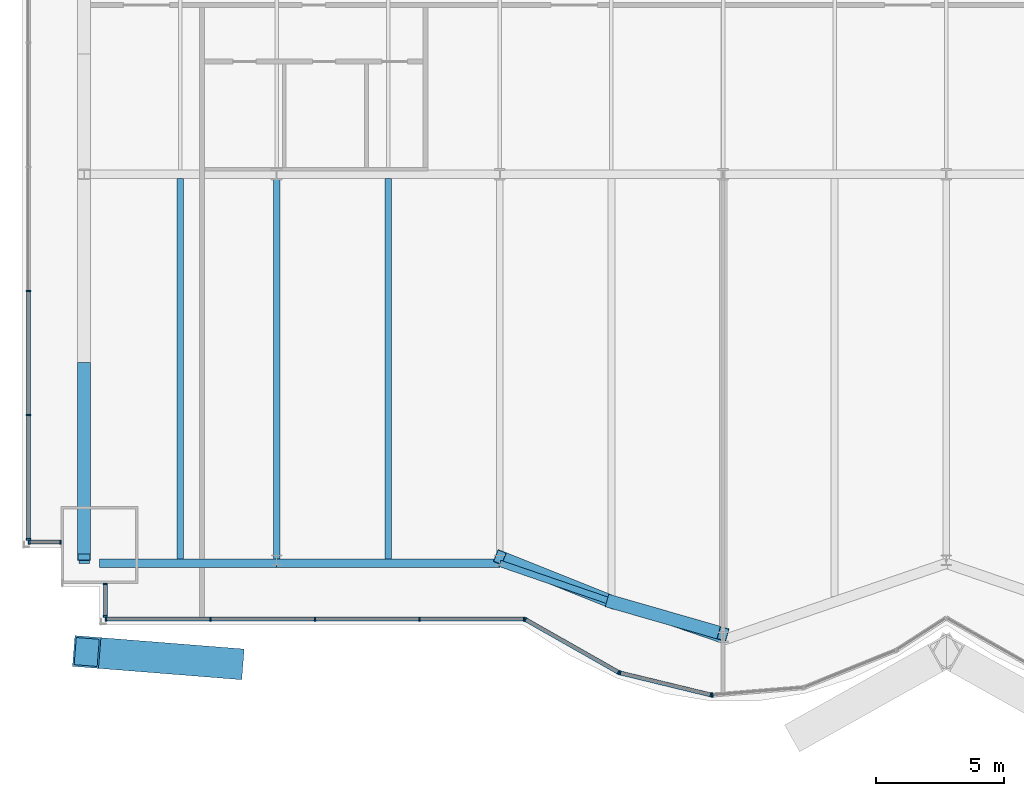
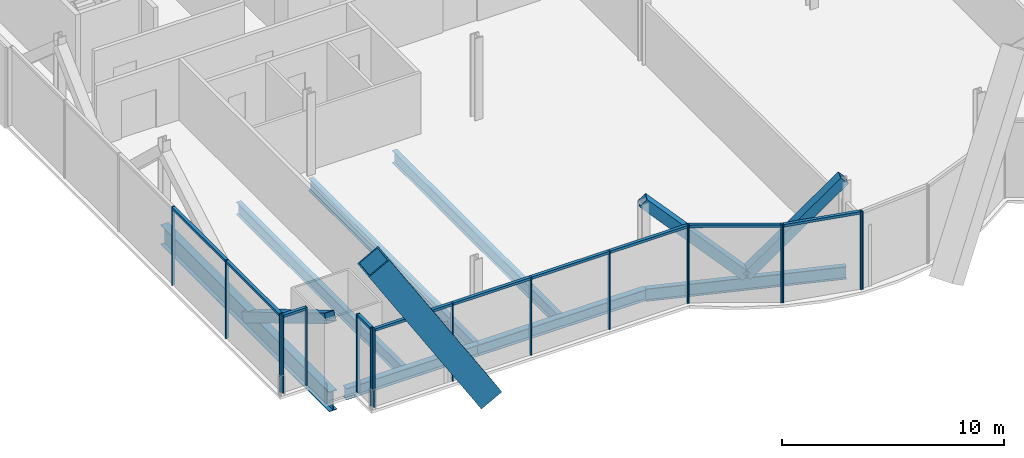
# One storey, part 4 of 21: 31 members, 7 beams, 5 elements without a shape of their own.
"""IFC4 building model written with IfcOpenShell, lengths in metres."""

from ifc_helpers import new_model, si_unit, direction, frame, origin, origin_2d, place, context, subcontext, project, spatial, rectangle, hollow_rectangle, i_section, extrude, material, material_profile, profile_set, type_object, element, aggregate, save


model = new_model("IFC4")

# Units and contexts
model_context = context("Model", 3, precision=1e-05, world=origin(), true_north=direction((0.0, 1.0)))
body_context = subcontext(model_context, "Body", "Model", "MODEL_VIEW")
ifc_project = project(units=[si_unit("LENGTHUNIT", "METRE"), si_unit("AREAUNIT", "SQUARE_METRE"), si_unit("VOLUMEUNIT", "CUBIC_METRE"), si_unit("PLANEANGLEUNIT", "RADIAN"), si_unit("MASSUNIT", "GRAM", prefix="KILO")], contexts=[model_context])

# Site, building, storey
site_placement = place(None, origin())
site = spatial("IfcSite", under=ifc_project, at=site_placement, CompositionType="ELEMENT")
building_placement = place(site_placement, origin())
building = spatial("IfcBuilding", under=site, at=building_placement, Name="Bicima Exchange Tower", CompositionType="ELEMENT")
storey_placement = place(building_placement, frame((0.0, 0.0, 80.0)))
storey = spatial("IfcBuildingStorey", under=building, at=storey_placement, Name="L16", CompositionType="ELEMENT", Elevation=80.0)

# Curtain wall, members
ifc_material_1 = material(Name="Anodised bronze aluminium", Category="aluminium")
curtain_wall_type_1 = type_object("IfcCurtainWallType", Name="End face glass wall", PredefinedType="NOTDEFINED", material=ifc_material_1)
curtain_wall_1_placement = place(storey_placement, origin())
curtain_wall_1 = element("IfcCurtainWall", 1, at=curtain_wall_1_placement, inside=storey, type_object=curtain_wall_type_1, Name="End face glass wall L16 run 2", PredefinedType="NOTDEFINED")
ifc_material_profile_1 = material_profile(ifc_material_1, rectangle(XDim=0.159912109375, YDim=0.06005859375, at=origin_2d()))
ifc_profile_set_1 = profile_set([ifc_material_profile_1], Name="Anodised bronze aluminium")
member_type_1 = type_object("IfcMemberType", Name="End face glass wall mullion 60 x 160", PredefinedType="MULLION", material=ifc_profile_set_1)
member_1_placement = place(storey_placement, frame((-35.77001953125, -26.5439453125, 0.0), z_axis=(0.0, 0.0, 1.0), x_axis=(1.0, 0.0, 0.0)))
member_1 = element("IfcMember", 2, at=member_1_placement, type_object=member_type_1, Name="End face glass wall mullion 4", PredefinedType="MULLION", context=body_context, shape_type="SweptSolid", body=[
    extrude(rectangle(XDim=0.159912109375, YDim=0.06005859375, at=origin_2d()), origin(), (0.0, 0.0, 1.0), 4.300048828125),
])
member_2_placement = place(storey_placement, frame((-35.77001953125, -31.382080078125, 0.0), z_axis=(0.0, 0.0, 1.0), x_axis=(1.0, 0.0, 0.0)))
member_2 = element("IfcMember", 3, at=member_2_placement, type_object=member_type_1, Name="End face glass wall mullion 5", PredefinedType="MULLION", context=body_context, shape_type="SweptSolid", body=[
    extrude(rectangle(XDim=0.159912109375, YDim=0.06005859375, at=origin_2d()), origin(), (0.0, 0.0, 1.0), 4.300048828125),
])
member_3_placement = place(storey_placement, frame((-35.77001953125, -36.219970703125, 0.0), z_axis=(0.0, 0.0, 1.0), x_axis=(1.0, 0.0, 0.0)))
member_3 = element("IfcMember", 4, at=member_3_placement, type_object=member_type_1, Name="End face glass wall mullion 6", PredefinedType="MULLION", context=body_context, shape_type="SweptSolid", body=[
    extrude(rectangle(XDim=0.159912109375, YDim=0.06005859375, at=origin_2d()), origin(), (0.0, 0.0, 1.0), 4.300048828125),
])
ifc_material_profile_2 = material_profile(ifc_material_1, rectangle(XDim=0.159912109375, YDim=0.139892578125, at=origin_2d()))
ifc_profile_set_2 = profile_set([ifc_material_profile_2], Name="Anodised bronze aluminium")
member_type_2 = type_object("IfcMemberType", Name="End face glass wall transom 140 x 160", PredefinedType="USERDEFINED", material=ifc_profile_set_2)
member_4_placement = place(storey_placement, frame((-35.77001953125, -26.573974609375, 4.22998046875), z_axis=(0.0, -1.0, 0.0), x_axis=(1.0, 0.0, 0.0)))
member_4 = element("IfcMember", 5, at=member_4_placement, type_object=member_type_2, Name="End face glass wall transom 4.1", ObjectType="TRANSOM", PredefinedType="USERDEFINED", context=body_context, shape_type="SweptSolid", body=[
    extrude(rectangle(XDim=0.159912109375, YDim=0.139892578125, at=origin_2d()), origin(), (0.0, 0.0, 1.0), 4.778076171875),
])
member_5_placement = place(storey_placement, frame((-35.77001953125, -31.412109375, 4.22998046875), z_axis=(0.0, -1.0, 0.0), x_axis=(1.0, 0.0, 0.0)))
member_5 = element("IfcMember", 6, at=member_5_placement, type_object=member_type_2, Name="End face glass wall transom 5.1", ObjectType="TRANSOM", PredefinedType="USERDEFINED", context=body_context, shape_type="SweptSolid", body=[
    extrude(rectangle(XDim=0.159912109375, YDim=0.139892578125, at=origin_2d()), origin(), (0.0, 0.0, 1.0), 4.77783203125),
])
aggregate(curtain_wall_1, [member_1, member_2, member_3, member_4, member_5])

# Beam
ifc_material_2 = material(Name="Steel ASTM A992 Gr 50", Category="steel")
ifc_material_profile_3 = material_profile(ifc_material_2, i_section(OverallWidth=0.4013671875, OverallDepth=1.089599609375, WebThickness=0.01806640625, FlangeThickness=0.031005859375, at=origin_2d()))
ifc_profile_set_3 = profile_set([ifc_material_profile_3], Name="Steel ASTM A992 Gr 50")
beam_type_1 = type_object("IfcBeamType", Name="End girder W44x230", PredefinedType="BEAM", material=ifc_profile_set_3)
beam_1_placement = place(storey_placement, frame((-33.60009765625, -22.0, -0.69482421875), z_axis=(0.0, -1.0, 0.0), x_axis=(1.0, 0.0, 0.0)))
element("IfcBeam", 7, at=beam_1_placement, inside=storey, type_object=beam_type_1, Name="End girder", PredefinedType="BEAM", context=body_context, shape_type="SweptSolid", body=[
    extrude(i_section(OverallWidth=0.4013671875, OverallDepth=1.089599609375, WebThickness=0.01806640625, FlangeThickness=0.031005859375, at=origin_2d()), origin(), (0.0, 0.0, 1.0), 15.159912109375),
])

# Member
ifc_material_3 = material(Name="Steel ASTM A572 Gr 50", Category="steel")
ifc_material_profile_4 = material_profile(ifc_material_3, hollow_rectangle(XDim=1.199951171875, YDim=1.199951171875, WallThickness=0.070068359375, at=origin_2d()))
ifc_profile_set_4 = profile_set([ifc_material_profile_4], Name="Steel ASTM A572 Gr 50")
member_type_3 = type_object("IfcMemberType", Name="Exo mega brace BOX 1200x1200x70", PredefinedType="BRACE", material=ifc_profile_set_4)
member_6_placement = place(storey_placement, frame((-27.916748046875, -41.055908203125, 0.074951171875), z_axis=(-0.52987784302, 0.042053797065, 0.847030666286), x_axis=(-0.079116300998, -0.996865392576, 0.0)))
element("IfcMember", 8, at=member_6_placement, inside=storey, type_object=member_type_3, Name="Exo mega brace front", PredefinedType="BRACE", context=body_context, shape_type="SweptSolid", body=[
    extrude(hollow_rectangle(XDim=1.199951171875, YDim=1.199951171875, WallThickness=0.070068359375, at=origin_2d()), origin(), (0.0, 0.0, 1.0), 10.536865234375),
])

# Beams
ifc_material_profile_5 = material_profile(ifc_material_2, i_section(OverallWidth=0.25390625, OverallDepth=0.67822265625, WebThickness=0.01171875, FlangeThickness=0.016357421875, at=origin_2d()))
ifc_profile_set_5 = profile_set([ifc_material_profile_5], Name="Steel ASTM A992 Gr 50")
beam_type_2 = type_object("IfcBeamType", Name="Floor beam W27x84", PredefinedType="JOIST", material=ifc_profile_set_5)
for number, where, z_axis, x_axis, name in (
    (9, (-29.85009765625, -22.16259765625, -0.489013671875), (0.0, -1.0, 0.0), (1.0, 0.0, 0.0), "Floor beam"),
    (10, (-26.10009765625, -22.16259765625, -0.489013671875), (0.0, -1.0, 0.0), (1.0, 0.0, 0.0), "Floor beam"),
    (11, (-21.75, -22.16259765625, -0.489013671875), (0.0, -1.0, 0.0), (1.0, 0.0, 0.0), "Floor beam"),
):
    element("IfcBeam", number, at=place(storey_placement, frame(where, z_axis=z_axis, x_axis=x_axis)), inside=storey, type_object=beam_type_2, Name=name, PredefinedType="JOIST", context=body_context, shape_type="SweptSolid", body=[
        extrude(i_section(OverallWidth=0.25390625, OverallDepth=0.67822265625, WebThickness=0.01171875, FlangeThickness=0.016357421875, at=origin_2d()), origin(), (0.0, 0.0, 1.0), 14.834716796875),
    ])
ifc_material_profile_6 = material_profile(ifc_material_2, i_section(OverallWidth=0.3251953125, OverallDepth=0.612060546875, WebThickness=0.0126953125, FlangeThickness=0.01904296875, at=origin_2d()))
ifc_profile_set_6 = profile_set([ifc_material_profile_6], Name="Steel ASTM A992 Gr 50")
beam_type_3 = type_object("IfcBeamType", Name="Front girder W24x104", PredefinedType="BEAM", material=ifc_profile_set_6)
beam_2_placement = place(storey_placement, frame((-33.0, -37.159912109375, -0.4560546875), z_axis=(1.0, 0.0, 0.0), x_axis=(0.0, 1.0, 0.0)))
element("IfcBeam", 12, at=beam_2_placement, inside=storey, type_object=beam_type_3, Name="Front girder", PredefinedType="BEAM", context=body_context, shape_type="SweptSolid", body=[
    extrude(i_section(OverallWidth=0.3251953125, OverallDepth=0.612060546875, WebThickness=0.0126953125, FlangeThickness=0.01904296875, at=origin_2d()), origin(), (0.0, 0.0, 1.0), 6.89990234375),
])
beam_3_placement = place(storey_placement, frame((-26.10009765625, -37.159912109375, -0.4560546875), z_axis=(1.0, 0.0, 0.0), x_axis=(0.0, 1.0, 0.0)))
element("IfcBeam", 13, at=beam_3_placement, inside=storey, type_object=beam_type_3, Name="Front girder", PredefinedType="BEAM", context=body_context, shape_type="SweptSolid", body=[
    extrude(i_section(OverallWidth=0.3251953125, OverallDepth=0.612060546875, WebThickness=0.0126953125, FlangeThickness=0.01904296875, at=origin_2d()), origin(), (0.0, 0.0, 1.0), 8.7001953125),
])
ifc_material_profile_7 = material_profile(ifc_material_2, i_section(OverallWidth=0.256591796875, OverallDepth=0.693359375, WebThickness=0.014404296875, FlangeThickness=0.023681640625, at=origin_2d()))
ifc_profile_set_7 = profile_set([ifc_material_profile_7], Name="Steel ASTM A992 Gr 50")
beam_type_4 = type_object("IfcBeamType", Name="Front girder W27x114", PredefinedType="BEAM", material=ifc_profile_set_7)
beam_4_placement = place(storey_placement, frame((-17.39990234375, -37.159912109375, -0.49658203125), z_axis=(0.945666456746, -0.325138359143, 0.0), x_axis=(0.325138359143, 0.945666456746, 0.0)))
element("IfcBeam", 14, at=beam_4_placement, inside=storey, type_object=beam_type_4, Name="Front girder", PredefinedType="BEAM", context=body_context, shape_type="SweptSolid", body=[
    extrude(i_section(OverallWidth=0.256591796875, OverallDepth=0.693359375, WebThickness=0.014404296875, FlangeThickness=0.023681640625, at=origin_2d()), origin(), (0.0, 0.0, 1.0), 9.19970703125),
])

# Curtain wall, members
curtain_wall_type_2 = type_object("IfcCurtainWallType", Name="Front glass wall", PredefinedType="NOTDEFINED", material=ifc_material_1)
curtain_wall_2_placement = place(storey_placement, origin())
curtain_wall_2 = element("IfcCurtainWall", 15, at=curtain_wall_2_placement, inside=storey, type_object=curtain_wall_type_2, Name="Front glass wall L16 run 3", PredefinedType="NOTDEFINED")
member_type_4 = type_object("IfcMemberType", Name="Front glass wall mullion 60 x 160", PredefinedType="MULLION", material=ifc_profile_set_1)
member_7_placement = place(storey_placement, frame((-35.739990234375, -36.330078125, 0.0), z_axis=(0.0, 0.0, 1.0), x_axis=(0.0, 1.0, 0.0)))
member_7 = element("IfcMember", 16, at=member_7_placement, type_object=member_type_4, Name="Front glass wall mullion 1", PredefinedType="MULLION", context=body_context, shape_type="SweptSolid", body=[
    extrude(rectangle(XDim=0.159912109375, YDim=0.06005859375, at=origin_2d()), origin(), (0.0, 0.0, 1.0), 4.300048828125),
])
member_8_placement = place(storey_placement, frame((-34.530029296875, -36.330078125, 0.0), z_axis=(0.0, 0.0, 1.0), x_axis=(0.0, 1.0, 0.0)))
member_8 = element("IfcMember", 17, at=member_8_placement, type_object=member_type_4, Name="Front glass wall mullion 2", PredefinedType="MULLION", context=body_context, shape_type="SweptSolid", body=[
    extrude(rectangle(XDim=0.159912109375, YDim=0.06005859375, at=origin_2d()), origin(), (0.0, 0.0, 1.0), 4.300048828125),
])

curtain_wall_3_placement = place(storey_placement, origin())
curtain_wall_3 = element("IfcCurtainWall", 18, at=curtain_wall_3_placement, inside=storey, type_object=curtain_wall_type_2, Name="Front glass wall L16 run 4", PredefinedType="NOTDEFINED")
member_9_placement = place(storey_placement, frame((-32.77001953125, -37.968017578125, 0.0), z_axis=(0.0, 0.0, 1.0), x_axis=(1.0, 0.0, 0.0)))
member_9 = element("IfcMember", 19, at=member_9_placement, type_object=member_type_4, Name="Front glass wall mullion 1", PredefinedType="MULLION", context=body_context, shape_type="SweptSolid", body=[
    extrude(rectangle(XDim=0.159912109375, YDim=0.06005859375, at=origin_2d()), origin(), (0.0, 0.0, 1.0), 4.300048828125),
])
member_10_placement = place(storey_placement, frame((-32.77001953125, -39.219970703125, 0.0), z_axis=(0.0, 0.0, 1.0), x_axis=(1.0, 0.0, 0.0)))
member_10 = element("IfcMember", 20, at=member_10_placement, type_object=member_type_4, Name="Front glass wall mullion 2", PredefinedType="MULLION", context=body_context, shape_type="SweptSolid", body=[
    extrude(rectangle(XDim=0.159912109375, YDim=0.06005859375, at=origin_2d()), origin(), (0.0, 0.0, 1.0), 4.300048828125),
])

curtain_wall_4_placement = place(storey_placement, origin())
curtain_wall_4 = element("IfcCurtainWall", 21, at=curtain_wall_4_placement, inside=storey, type_object=curtain_wall_type_2, Name="Front glass wall L16 run 5", PredefinedType="NOTDEFINED")
member_11_placement = place(storey_placement, frame((-32.739990234375, -39.330078125, 0.0), z_axis=(0.0, 0.0, 1.0), x_axis=(0.0, 1.0, 0.0)))
member_11 = element("IfcMember", 22, at=member_11_placement, type_object=member_type_4, Name="Front glass wall mullion 1", PredefinedType="MULLION", context=body_context, shape_type="SweptSolid", body=[
    extrude(rectangle(XDim=0.159912109375, YDim=0.06005859375, at=origin_2d()), origin(), (0.0, 0.0, 1.0), 4.300048828125),
])
member_12_placement = place(storey_placement, frame((-28.67041015625, -39.330078125, 0.0), z_axis=(0.0, 0.0, 1.0), x_axis=(0.0, 1.0, 0.0)))
member_12 = element("IfcMember", 23, at=member_12_placement, type_object=member_type_4, Name="Front glass wall mullion 2", PredefinedType="MULLION", context=body_context, shape_type="SweptSolid", body=[
    extrude(rectangle(XDim=0.159912109375, YDim=0.06005859375, at=origin_2d()), origin(), (0.0, 0.0, 1.0), 4.300048828125),
])
member_13_placement = place(storey_placement, frame((-24.60107421875, -39.330078125, 0.0), z_axis=(0.0, 0.0, 1.0), x_axis=(0.0, 1.0, 0.0)))
member_13 = element("IfcMember", 24, at=member_13_placement, type_object=member_type_4, Name="Front glass wall mullion 3", PredefinedType="MULLION", context=body_context, shape_type="SweptSolid", body=[
    extrude(rectangle(XDim=0.159912109375, YDim=0.06005859375, at=origin_2d()), origin(), (0.0, 0.0, 1.0), 4.300048828125),
])
member_14_placement = place(storey_placement, frame((-20.531494140625, -39.330078125, 0.0), z_axis=(0.0, 0.0, 1.0), x_axis=(0.0, 1.0, 0.0)))
member_14 = element("IfcMember", 25, at=member_14_placement, type_object=member_type_4, Name="Front glass wall mullion 4", PredefinedType="MULLION", context=body_context, shape_type="SweptSolid", body=[
    extrude(rectangle(XDim=0.159912109375, YDim=0.06005859375, at=origin_2d()), origin(), (0.0, 0.0, 1.0), 4.300048828125),
])
member_15_placement = place(storey_placement, frame((-16.462158203125, -39.330078125, 0.0), z_axis=(0.0, 0.0, 1.0), x_axis=(0.0, 1.0, 0.0)))
member_15 = element("IfcMember", 26, at=member_15_placement, type_object=member_type_4, Name="Front glass wall mullion 5", PredefinedType="MULLION", context=body_context, shape_type="SweptSolid", body=[
    extrude(rectangle(XDim=0.159912109375, YDim=0.06005859375, at=origin_2d()), origin(), (0.0, 0.0, 1.0), 4.300048828125),
])

curtain_wall_5_placement = place(storey_placement, origin())
curtain_wall_5 = element("IfcCurtainWall", 27, at=curtain_wall_5_placement, inside=storey, type_object=curtain_wall_type_2, Name="Front glass wall L16 run 6", PredefinedType="NOTDEFINED")
member_16_placement = place(storey_placement, frame((-16.406005859375, -39.3447265625, 0.0), z_axis=(0.0, 0.0, 1.0), x_axis=(0.493395449343, 0.869805110681, 0.0)))
member_16 = element("IfcMember", 28, at=member_16_placement, type_object=member_type_4, Name="Front glass wall mullion 1", PredefinedType="MULLION", context=body_context, shape_type="SweptSolid", body=[
    extrude(rectangle(XDim=0.159912109375, YDim=0.06005859375, at=origin_2d()), origin(), (0.0, 0.0, 1.0), 4.300048828125),
])
member_17_placement = place(storey_placement, frame((-12.7734375, -41.405517578125, 0.0), z_axis=(0.0, 0.0, 1.0), x_axis=(0.493395449343, 0.869805110681, 0.0)))
member_17 = element("IfcMember", 29, at=member_17_placement, type_object=member_type_4, Name="Front glass wall mullion 2", PredefinedType="MULLION", context=body_context, shape_type="SweptSolid", body=[
    extrude(rectangle(XDim=0.159912109375, YDim=0.06005859375, at=origin_2d()), origin(), (0.0, 0.0, 1.0), 4.300048828125),
])
member_18_placement = place(storey_placement, frame((-12.718017578125, -41.42724609375, 0.0), z_axis=(0.0, 0.0, 1.0), x_axis=(0.235681529503, 0.971830343553, 0.0)))
member_18 = element("IfcMember", 30, at=member_18_placement, type_object=member_type_4, Name="Front glass wall mullion 1", PredefinedType="MULLION", context=body_context, shape_type="SweptSolid", body=[
    extrude(rectangle(XDim=0.159912109375, YDim=0.06005859375, at=origin_2d()), origin(), (0.0, 0.0, 1.0), 4.300048828125),
])
member_19_placement = place(storey_placement, frame((-9.177490234375, -42.285888671875, 0.0), z_axis=(0.0, 0.0, 1.0), x_axis=(0.235681529503, 0.971830343553, 0.0)))
member_19 = element("IfcMember", 31, at=member_19_placement, type_object=member_type_4, Name="Front glass wall mullion 2", PredefinedType="MULLION", context=body_context, shape_type="SweptSolid", body=[
    extrude(rectangle(XDim=0.159912109375, YDim=0.06005859375, at=origin_2d()), origin(), (0.0, 0.0, 1.0), 4.300048828125),
])
member_20_placement = place(storey_placement, frame((-9.118408203125, -42.29052734375, 0.0), z_axis=(0.0, 0.0, 1.0), x_axis=(-0.080588612633, 0.99674744821, 0.0)))
member_20 = element("IfcMember", 32, at=member_20_placement, type_object=member_type_4, Name="Front glass wall mullion 1", PredefinedType="MULLION", context=body_context, shape_type="SweptSolid", body=[
    extrude(rectangle(XDim=0.159912109375, YDim=0.06005859375, at=origin_2d()), origin(), (0.0, 0.0, 1.0), 4.300048828125),
])

# Member
member_type_5 = type_object("IfcMemberType", Name="Front glass wall transom 140 x 160", PredefinedType="USERDEFINED", material=ifc_profile_set_2)
member_21_placement = place(storey_placement, frame((-35.7099609375, -36.330078125, 4.22998046875), z_axis=(1.0, 0.0, 0.0), x_axis=(0.0, 1.0, 0.0)))
member_21 = element("IfcMember", 33, at=member_21_placement, type_object=member_type_5, Name="Front glass wall transom 1.1", ObjectType="TRANSOM", PredefinedType="USERDEFINED", context=body_context, shape_type="SweptSolid", body=[
    extrude(rectangle(XDim=0.159912109375, YDim=0.139892578125, at=origin_2d()), origin(), (0.0, 0.0, 1.0), 1.14990234375),
])

aggregate(curtain_wall_2, [member_7, member_8, member_21])

member_22_placement = place(storey_placement, frame((-32.77001953125, -37.998046875, 4.22998046875), z_axis=(0.0, -1.0, 0.0), x_axis=(1.0, 0.0, 0.0)))
member_22 = element("IfcMember", 34, at=member_22_placement, type_object=member_type_5, Name="Front glass wall transom 1.1", ObjectType="TRANSOM", PredefinedType="USERDEFINED", context=body_context, shape_type="SweptSolid", body=[
    extrude(rectangle(XDim=0.159912109375, YDim=0.139892578125, at=origin_2d()), origin(), (0.0, 0.0, 1.0), 1.19189453125),
])

aggregate(curtain_wall_3, [member_9, member_10, member_22])

member_23_placement = place(storey_placement, frame((-32.7099609375, -39.330078125, 4.22998046875), z_axis=(1.0, 0.0, 0.0), x_axis=(0.0, 1.0, 0.0)))
member_23 = element("IfcMember", 35, at=member_23_placement, type_object=member_type_5, Name="Front glass wall transom 1.1", ObjectType="TRANSOM", PredefinedType="USERDEFINED", context=body_context, shape_type="SweptSolid", body=[
    extrude(rectangle(XDim=0.159912109375, YDim=0.139892578125, at=origin_2d()), origin(), (0.0, 0.0, 1.0), 4.009521484375),
])

member_24_placement = place(storey_placement, frame((-28.640380859375, -39.330078125, 4.22998046875), z_axis=(1.0, 0.0, 0.0), x_axis=(0.0, 1.0, 0.0)))
member_24 = element("IfcMember", 36, at=member_24_placement, type_object=member_type_5, Name="Front glass wall transom 2.1", ObjectType="TRANSOM", PredefinedType="USERDEFINED", context=body_context, shape_type="SweptSolid", body=[
    extrude(rectangle(XDim=0.159912109375, YDim=0.139892578125, at=origin_2d()), origin(), (0.0, 0.0, 1.0), 4.00927734375),
])

member_25_placement = place(storey_placement, frame((-24.571044921875, -39.330078125, 4.22998046875), z_axis=(1.0, 0.0, 0.0), x_axis=(0.0, 1.0, 0.0)))
member_25 = element("IfcMember", 37, at=member_25_placement, type_object=member_type_5, Name="Front glass wall transom 3.1", ObjectType="TRANSOM", PredefinedType="USERDEFINED", context=body_context, shape_type="SweptSolid", body=[
    extrude(rectangle(XDim=0.159912109375, YDim=0.139892578125, at=origin_2d()), origin(), (0.0, 0.0, 1.0), 4.009521484375),
])

member_26_placement = place(storey_placement, frame((-20.501708984375, -39.330078125, 4.22998046875), z_axis=(1.0, 0.0, 0.0), x_axis=(0.0, 1.0, 0.0)))
member_26 = element("IfcMember", 38, at=member_26_placement, type_object=member_type_5, Name="Front glass wall transom 4.1", ObjectType="TRANSOM", PredefinedType="USERDEFINED", context=body_context, shape_type="SweptSolid", body=[
    extrude(rectangle(XDim=0.159912109375, YDim=0.139892578125, at=origin_2d()), origin(), (0.0, 0.0, 1.0), 4.009521484375),
])

aggregate(curtain_wall_4, [member_11, member_12, member_13, member_14, member_15, member_23, member_24, member_25, member_26])

member_27_placement = place(storey_placement, frame((-16.3798828125, -39.359619140625, 4.22998046875), z_axis=(0.869797371721, -0.49340909208, 0.0), x_axis=(0.49340909208, 0.869797371721, 0.0)))
member_27 = element("IfcMember", 39, at=member_27_placement, type_object=member_type_5, Name="Front glass wall transom 1.1", ObjectType="TRANSOM", PredefinedType="USERDEFINED", context=body_context, shape_type="SweptSolid", body=[
    extrude(rectangle(XDim=0.159912109375, YDim=0.139892578125, at=origin_2d()), origin(), (0.0, 0.0, 1.0), 4.1162109375),
])

member_28_placement = place(storey_placement, frame((-12.68896484375, -41.434326171875, 4.22998046875), z_axis=(0.971833557815, -0.235668275132, 0.0), x_axis=(0.235668275132, 0.971833557815, 0.0)))
member_28 = element("IfcMember", 40, at=member_28_placement, type_object=member_type_5, Name="Front glass wall transom 1.1", ObjectType="TRANSOM", PredefinedType="USERDEFINED", context=body_context, shape_type="SweptSolid", body=[
    extrude(rectangle(XDim=0.159912109375, YDim=0.139892578125, at=origin_2d()), origin(), (0.0, 0.0, 1.0), 3.583251953125),
])

aggregate(curtain_wall_5, [member_16, member_17, member_27, member_18, member_19, member_28, member_20])

# Members
ifc_material_profile_8 = material_profile(ifc_material_3, hollow_rectangle(XDim=0.508056640625, YDim=0.508056640625, WallThickness=0.017822265625, at=origin_2d()))
ifc_profile_set_8 = profile_set([ifc_material_profile_8], Name="Steel ASTM A572 Gr 50")
member_type_6 = type_object("IfcMemberType", Name="Mega brace HSS20x20x3/4", PredefinedType="BRACE", material=ifc_profile_set_8)
member_29_placement = place(storey_placement, frame((-13.050048828125, -38.655517578125, 0.0), z_axis=(0.681539584879, -0.196069812105, 0.705025122264), x_axis=(0.276473064615, 0.961021667052, 0.0)))
element("IfcMember", 41, at=member_29_placement, inside=storey, type_object=member_type_6, Name="Mega brace front", PredefinedType="BRACE", context=body_context, shape_type="SweptSolid", body=[
    extrude(hollow_rectangle(XDim=0.508056640625, YDim=0.508056640625, WallThickness=0.017822265625, at=origin_2d()), origin(), (0.0, 0.0, 1.0), 6.3828125),
])
member_30_placement = place(storey_placement, frame((-13.050048828125, -38.655517578125, 0.0), z_axis=(-0.669627633412, 0.267783402821, 0.692741569234), x_axis=(-0.371309808925, -0.928509033772, 0.0)))
element("IfcMember", 42, at=member_30_placement, inside=storey, type_object=member_type_6, Name="Mega brace front", PredefinedType="BRACE", context=body_context, shape_type="SweptSolid", body=[
    extrude(hollow_rectangle(XDim=0.508056640625, YDim=0.508056640625, WallThickness=0.017822265625, at=origin_2d()), origin(), (0.0, 0.0, 1.0), 6.495849609375),
])
member_31_placement = place(storey_placement, frame((-33.60009765625, -29.4580078125, -0.69482421875), z_axis=(0.0, -0.858752885041, 0.51238997105), x_axis=(1.0, 0.0, 0.0)))
element("IfcMember", 43, at=member_31_placement, inside=storey, type_object=member_type_6, Name="Mega brace west end", PredefinedType="BRACE", context=body_context, shape_type="SweptSolid", body=[
    extrude(hollow_rectangle(XDim=0.508056640625, YDim=0.508056640625, WallThickness=0.017822265625, at=origin_2d()), origin(), (0.0, 0.0, 1.0), 8.684814453125),
])

save(model, "model.ifc")
